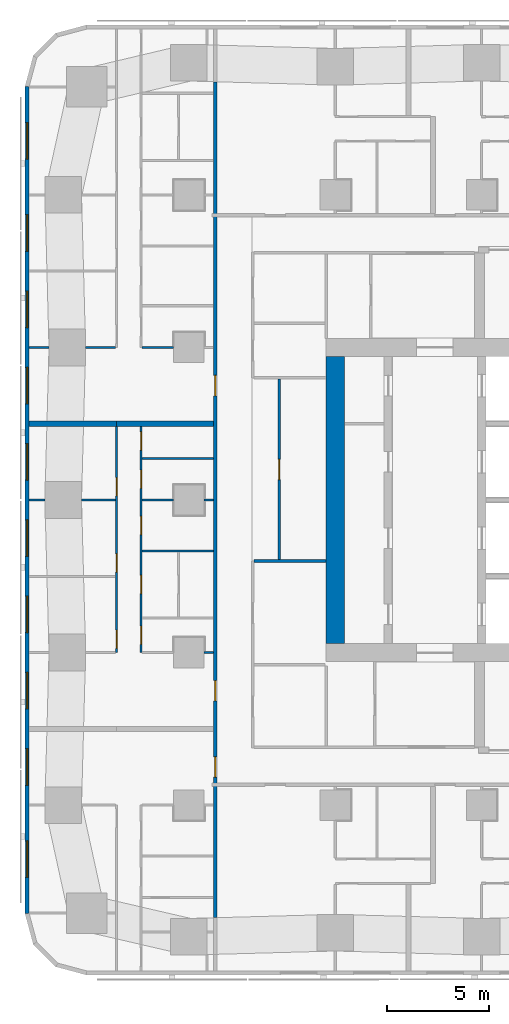
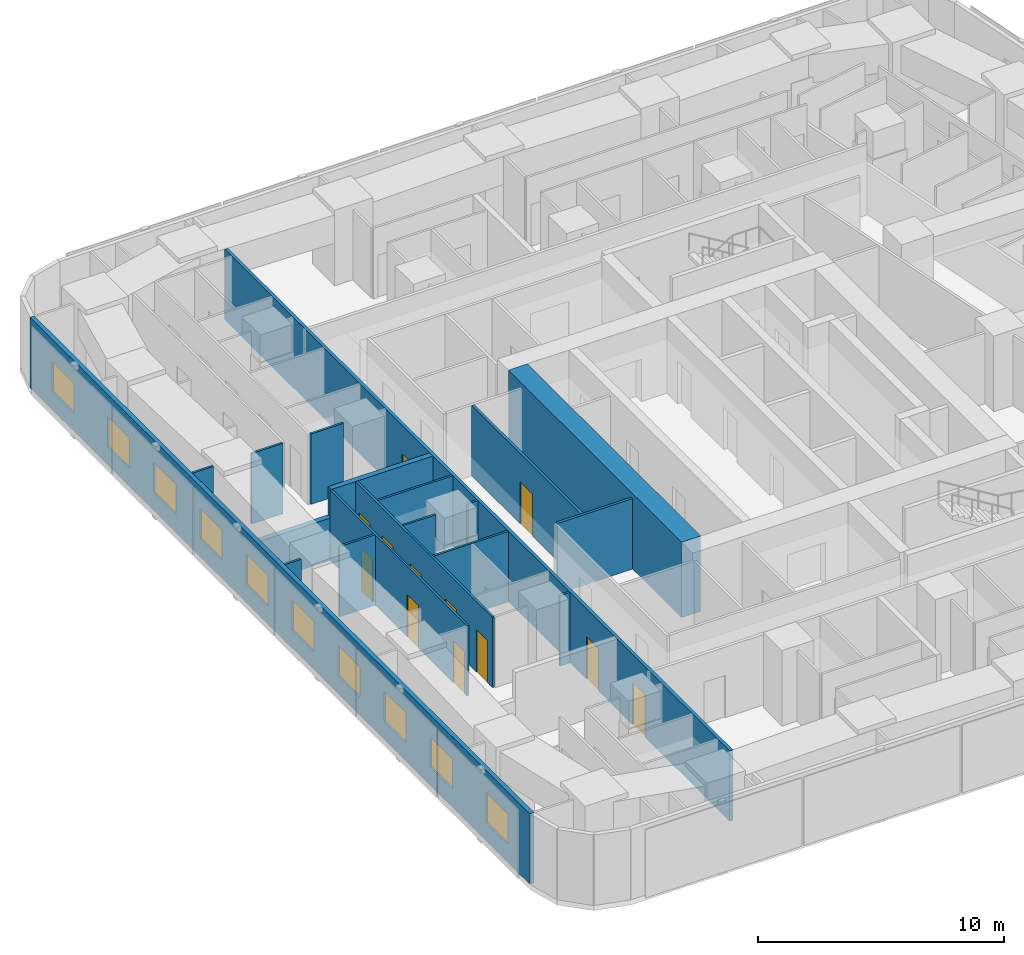
# One storey, part 5 of 15: 19 walls, 12 doors, 10 windows, 22 openings.
"""IFC4 building model written with IfcOpenShell, lengths in metres."""

from ifc_helpers import new_model, si_unit, direction, frame, frame_2d, origin, place, context, subcontext, project, spatial, rectangle, extrude, material, layer, layer_set, type_object, element, fill, save


model = new_model("IFC4")

# Units and contexts
model_context = context("Model", 3, precision=1e-05, world=origin(), true_north=direction((0.0, 1.0)))
body_context = subcontext(model_context, "Body", "Model", "MODEL_VIEW")
ifc_project = project(units=[si_unit("LENGTHUNIT", "METRE"), si_unit("AREAUNIT", "SQUARE_METRE"), si_unit("VOLUMEUNIT", "CUBIC_METRE"), si_unit("PLANEANGLEUNIT", "RADIAN"), si_unit("MASSUNIT", "GRAM", prefix="KILO")], contexts=[model_context])

# Site, building, storey
site_placement = place(None, origin())
site = spatial("IfcSite", under=ifc_project, at=site_placement, CompositionType="ELEMENT")
building_placement = place(site_placement, origin())
building = spatial("IfcBuilding", under=site, at=building_placement, Name="Sheger Commons Tower", CompositionType="ELEMENT")
storey_placement = place(building_placement, frame((0.0, 0.0, 162.050048828125)))
storey = spatial("IfcBuildingStorey", under=building, at=storey_placement, Name="L41", CompositionType="ELEMENT", Elevation=162.050048828125)

# Wall
ifc_material_1 = material(Name="Concrete C50/60", Category="concrete")
ifc_layer_1 = layer(ifc_material_1, 0.89990234375)
ifc_layer_set_1 = layer_set([ifc_layer_1], Name="CORE WALL 900")
wall_type_1 = type_object("IfcWallType", Name="CORE WALL 900", PredefinedType="SHEAR", material=ifc_layer_set_1)
wall_1_placement = place(storey_placement, frame((14.39990234375, 15.449951171875, 0.0), z_axis=(0.0, 0.0, 1.0), x_axis=(0.0, 1.0, 0.0)))
element("IfcWall", 1, at=wall_1_placement, inside=storey, type_object=wall_type_1, Name="Core wall west L41", PredefinedType="SHEAR", context=body_context, shape_type="SweptSolid", body=[
    extrude(rectangle(XDim=14.10009765625, YDim=0.89990234375, at=frame_2d((7.050048828125, 0.0))), origin(), (0.0, 0.0, 1.0), 3.75),
])

# Wall, openings, doors
ifc_material_2 = material(Name="Hollow concrete block masonry, skimmed both sides", Category="masonry")
ifc_layer_2 = layer(ifc_material_2, 0.14990234375)
ifc_layer_set_2 = layer_set([ifc_layer_2], Name="CORRIDOR WALL 150")
wall_type_2 = type_object("IfcWallType", Name="CORRIDOR WALL 150", PredefinedType="SOLIDWALL", material=ifc_layer_set_2)
wall_2_placement = place(storey_placement, frame((8.5, 1.964111328125, 0.0), z_axis=(0.0, 0.0, 1.0), x_axis=(0.0, 1.0, 0.0)))
wall_2 = element("IfcWall", 2, at=wall_2_placement, inside=storey, type_object=wall_type_2, Name="Corridor wall L41", PredefinedType="SOLIDWALL", context=body_context, shape_type="SweptSolid", body=[
    extrude(rectangle(XDim=41.096923828125, YDim=0.14990234375, at=frame_2d((20.54833984375, 0.0))), origin(), (0.0, 0.0, 1.0), 3.5),
])
opening_1_placement = place(wall_2_placement, frame((6.910888671875, 0.0, 0.0)))
opening_1 = element("IfcOpeningElement", 3, at=opening_1_placement, cuts=wall_2, Name="Opening D1", PredefinedType="OPENING", context=body_context, shape_type="SweptSolid", body=[
    extrude(rectangle(XDim=1.0, YDim=2.10009765625, at=frame_2d((0.5, 1.050048828125))), frame((0.0, 0.0849609375, 0.0), z_axis=(0.0, -1.0, 0.0), x_axis=(1.0, 0.0, 0.0)), (0.0, 0.0, 1.0), 0.169921875),
])
opening_2_placement = place(wall_2_placement, frame((10.660888671875, 0.0, 0.0)))
opening_2 = element("IfcOpeningElement", 4, at=opening_2_placement, cuts=wall_2, Name="Opening D1", PredefinedType="OPENING", context=body_context, shape_type="SweptSolid", body=[
    extrude(rectangle(XDim=1.0, YDim=2.10009765625, at=frame_2d((0.5, 1.050048828125))), frame((0.0, 0.0849609375, 0.0), z_axis=(0.0, -1.0, 0.0), x_axis=(1.0, 0.0, 0.0)), (0.0, 0.0, 1.0), 0.169921875),
])
opening_3_placement = place(wall_2_placement, frame((25.660888671875, 0.0, 0.0)))
opening_3 = element("IfcOpeningElement", 5, at=opening_3_placement, cuts=wall_2, Name="Opening D1", PredefinedType="OPENING", context=body_context, shape_type="SweptSolid", body=[
    extrude(rectangle(XDim=1.0, YDim=2.10009765625, at=frame_2d((0.5, 1.050048828125))), frame((0.0, 0.0849609375, 0.0), z_axis=(0.0, -1.0, 0.0), x_axis=(1.0, 0.0, 0.0)), (0.0, 0.0, 1.0), 0.169921875),
])
ifc_material_3 = material(Name="Steel door set, fire rated", Category="steel")
door_type_1 = type_object("IfcDoorType", Name="FLAT ENTRANCE DOOR 1000x2100", OperationType="NOTDEFINED", PredefinedType="DOOR", material=ifc_material_3)
door_1_placement = place(opening_1_placement, origin())
door_1 = element("IfcDoor", 6, at=door_1_placement, inside=storey, type_object=door_type_1, Name="Flat entrance door", OperationType="SINGLE_SWING_LEFT", OverallHeight=2.10009765625, OverallWidth=1.0, PredefinedType="DOOR", context=body_context, shape_type="SweptSolid", body=[
    extrude(rectangle(XDim=1.0, YDim=2.10009765625, at=frame_2d((0.5, 1.050048828125))), frame((0.0, 0.02490234375, 0.0), z_axis=(0.0, -1.0, 0.0), x_axis=(1.0, 0.0, 0.0)), (0.0, 0.0, 1.0), 0.050048828125),
])
fill(opening_1, door_1)
door_2_placement = place(opening_2_placement, origin())
door_2 = element("IfcDoor", 7, at=door_2_placement, inside=storey, type_object=door_type_1, Name="Flat entrance door", OperationType="SINGLE_SWING_RIGHT", OverallHeight=2.10009765625, OverallWidth=1.0, PredefinedType="DOOR", context=body_context, shape_type="SweptSolid", body=[
    extrude(rectangle(XDim=1.0, YDim=2.10009765625, at=frame_2d((0.5, 1.050048828125))), frame((0.0, 0.02490234375, 0.0), z_axis=(0.0, -1.0, 0.0), x_axis=(1.0, 0.0, 0.0)), (0.0, 0.0, 1.0), 0.050048828125),
])
fill(opening_2, door_2)
door_3_placement = place(opening_3_placement, origin())
door_3 = element("IfcDoor", 8, at=door_3_placement, inside=storey, type_object=door_type_1, Name="Flat entrance door", OperationType="SINGLE_SWING_LEFT", OverallHeight=2.10009765625, OverallWidth=1.0, PredefinedType="DOOR", context=body_context, shape_type="SweptSolid", body=[
    extrude(rectangle(XDim=1.0, YDim=2.10009765625, at=frame_2d((0.5, 1.050048828125))), frame((0.0, 0.02490234375, 0.0), z_axis=(0.0, -1.0, 0.0), x_axis=(1.0, 0.0, 0.0)), (0.0, 0.0, 1.0), 0.050048828125),
])
fill(opening_3, door_3)

# Walls
ifc_material_4 = material(Name="Dense concrete block masonry, plastered both sides (separating wall between flats)", Category="masonry")
ifc_layer_3 = layer(ifc_material_4, 0.25)
ifc_layer_set_3 = layer_set([ifc_layer_3], Name="DEMISING WALL 250")
wall_type_3 = type_object("IfcWallType", Name="DEMISING WALL 250", PredefinedType="SOLIDWALL", material=ifc_layer_set_3)
wall_3_placement = place(storey_placement, frame((-0.64990234375, 26.25, 0.0), z_axis=(0.0, 0.0, 1.0), x_axis=(1.0, 0.0, 0.0)))
element("IfcWall", 9, at=wall_3_placement, inside=storey, type_object=wall_type_3, Name="Demising wall L41", PredefinedType="SOLIDWALL", context=body_context, shape_type="SweptSolid", body=[
    extrude(rectangle(XDim=4.2998046875, YDim=0.25, at=frame_2d((2.14990234375, 0.0))), origin(), (0.0, 0.0, 1.0), 2.099853515625),
])
wall_4_placement = place(storey_placement, frame((3.64990234375, 26.25, 0.0), z_axis=(0.0, 0.0, 1.0), x_axis=(1.0, 0.0, 0.0)))
element("IfcWall", 10, at=wall_4_placement, inside=storey, type_object=wall_type_3, Name="Demising wall L41", PredefinedType="SOLIDWALL", context=body_context, shape_type="SweptSolid", body=[
    extrude(rectangle(XDim=4.775146484375, YDim=0.25, at=frame_2d((2.3876953125, 0.0))), origin(), (0.0, 0.0, 1.0), 3.5),
])

# Wall, openings, windows
ifc_material_5 = material(Name="Rendered concrete block masonry, dark grey", Category="masonry")
ifc_layer_4 = layer(ifc_material_5, 0.199951171875)
ifc_layer_set_4 = layer_set([ifc_layer_4], Name="FACADE WALL 200")
wall_type_4 = type_object("IfcWallType", Name="FACADE WALL 200", PredefinedType="SOLIDWALL", material=ifc_layer_set_4)
wall_5_placement = place(storey_placement, frame((-0.75, 42.8369140625, 0.0), z_axis=(0.0, 0.0, 1.0), x_axis=(0.0, -1.0, 0.0)))
wall_5 = element("IfcWall", 11, at=wall_5_placement, inside=storey, type_object=wall_type_4, Name="Facade wall L41", PredefinedType="SOLIDWALL", context=body_context, shape_type="SweptSolid", body=[
    extrude(rectangle(XDim=40.673828125, YDim=0.199951171875, at=frame_2d((20.3369140625, 0.0))), origin(), (0.0, 0.0, 1.0), 3.5),
])
opening_4_placement = place(wall_5_placement, frame((1.780029296875, 0.0, 0.89990234375)))
opening_4 = element("IfcOpeningElement", 12, at=opening_4_placement, cuts=wall_5, Name="Opening W2", PredefinedType="OPENING", context=body_context, shape_type="SweptSolid", body=[
    extrude(rectangle(XDim=1.800048828125, YDim=1.5, at=frame_2d((0.89990234375, 0.75))), frame((0.0, 0.10986328125, 0.0), z_axis=(0.0, -1.0, 0.0), x_axis=(1.0, 0.0, 0.0)), (0.0, 0.0, 1.0), 0.219970703125),
])
opening_5_placement = place(wall_5_placement, frame((6.31201171875, 0.0, 0.89990234375)))
opening_5 = element("IfcOpeningElement", 13, at=opening_5_placement, cuts=wall_5, Name="Opening W2", PredefinedType="OPENING", context=body_context, shape_type="SweptSolid", body=[
    extrude(rectangle(XDim=1.800048828125, YDim=1.5, at=frame_2d((0.89990234375, 0.75))), frame((0.0, 0.10986328125, 0.0), z_axis=(0.0, -1.0, 0.0), x_axis=(1.0, 0.0, 0.0)), (0.0, 0.0, 1.0), 0.219970703125),
])
opening_6_placement = place(wall_5_placement, frame((10.06201171875, 0.0, 0.89990234375)))
opening_6 = element("IfcOpeningElement", 14, at=opening_6_placement, cuts=wall_5, Name="Opening W2", PredefinedType="OPENING", context=body_context, shape_type="SweptSolid", body=[
    extrude(rectangle(XDim=1.800048828125, YDim=1.5, at=frame_2d((0.89990234375, 0.75))), frame((0.0, 0.10986328125, 0.0), z_axis=(0.0, -1.0, 0.0), x_axis=(1.0, 0.0, 0.0)), (0.0, 0.0, 1.0), 0.219970703125),
])
opening_7_placement = place(wall_5_placement, frame((13.81201171875, 0.0, 0.89990234375)))
opening_7 = element("IfcOpeningElement", 15, at=opening_7_placement, cuts=wall_5, Name="Opening W2", PredefinedType="OPENING", context=body_context, shape_type="SweptSolid", body=[
    extrude(rectangle(XDim=1.800048828125, YDim=1.5, at=frame_2d((0.89990234375, 0.75))), frame((0.0, 0.10986328125, 0.0), z_axis=(0.0, -1.0, 0.0), x_axis=(1.0, 0.0, 0.0)), (0.0, 0.0, 1.0), 0.219970703125),
])
opening_8_placement = place(wall_5_placement, frame((17.56201171875, 0.0, 0.89990234375)))
opening_8 = element("IfcOpeningElement", 16, at=opening_8_placement, cuts=wall_5, Name="Opening W2", PredefinedType="OPENING", context=body_context, shape_type="SweptSolid", body=[
    extrude(rectangle(XDim=1.800048828125, YDim=1.5, at=frame_2d((0.89990234375, 0.75))), frame((0.0, 0.10986328125, 0.0), z_axis=(0.0, -1.0, 0.0), x_axis=(1.0, 0.0, 0.0)), (0.0, 0.0, 1.0), 0.219970703125),
])
opening_9_placement = place(wall_5_placement, frame((21.31201171875, 0.0, 0.89990234375)))
opening_9 = element("IfcOpeningElement", 17, at=opening_9_placement, cuts=wall_5, Name="Opening W2", PredefinedType="OPENING", context=body_context, shape_type="SweptSolid", body=[
    extrude(rectangle(XDim=1.800048828125, YDim=1.5, at=frame_2d((0.89990234375, 0.75))), frame((0.0, 0.10986328125, 0.0), z_axis=(0.0, -1.0, 0.0), x_axis=(1.0, 0.0, 0.0)), (0.0, 0.0, 1.0), 0.219970703125),
])
opening_10_placement = place(wall_5_placement, frame((25.06201171875, 0.0, 0.89990234375)))
opening_10 = element("IfcOpeningElement", 18, at=opening_10_placement, cuts=wall_5, Name="Opening W2", PredefinedType="OPENING", context=body_context, shape_type="SweptSolid", body=[
    extrude(rectangle(XDim=1.800048828125, YDim=1.5, at=frame_2d((0.89990234375, 0.75))), frame((0.0, 0.10986328125, 0.0), z_axis=(0.0, -1.0, 0.0), x_axis=(1.0, 0.0, 0.0)), (0.0, 0.0, 1.0), 0.219970703125),
])
opening_11_placement = place(wall_5_placement, frame((28.81201171875, 0.0, 0.89990234375)))
opening_11 = element("IfcOpeningElement", 19, at=opening_11_placement, cuts=wall_5, Name="Opening W2", PredefinedType="OPENING", context=body_context, shape_type="SweptSolid", body=[
    extrude(rectangle(XDim=1.800048828125, YDim=1.5, at=frame_2d((0.89990234375, 0.75))), frame((0.0, 0.10986328125, 0.0), z_axis=(0.0, -1.0, 0.0), x_axis=(1.0, 0.0, 0.0)), (0.0, 0.0, 1.0), 0.219970703125),
])
opening_12_placement = place(wall_5_placement, frame((32.56201171875, 0.0, 0.89990234375)))
opening_12 = element("IfcOpeningElement", 20, at=opening_12_placement, cuts=wall_5, Name="Opening W2", PredefinedType="OPENING", context=body_context, shape_type="SweptSolid", body=[
    extrude(rectangle(XDim=1.800048828125, YDim=1.5, at=frame_2d((0.89990234375, 0.75))), frame((0.0, 0.10986328125, 0.0), z_axis=(0.0, -1.0, 0.0), x_axis=(1.0, 0.0, 0.0)), (0.0, 0.0, 1.0), 0.219970703125),
])
opening_13_placement = place(wall_5_placement, frame((37.093994140625, 0.0, 0.89990234375)))
opening_13 = element("IfcOpeningElement", 21, at=opening_13_placement, cuts=wall_5, Name="Opening W2", PredefinedType="OPENING", context=body_context, shape_type="SweptSolid", body=[
    extrude(rectangle(XDim=1.800048828125, YDim=1.5, at=frame_2d((0.89990234375, 0.75))), frame((0.0, 0.10986328125, 0.0), z_axis=(0.0, -1.0, 0.0), x_axis=(1.0, 0.0, 0.0)), (0.0, 0.0, 1.0), 0.219970703125),
])
ifc_material_6 = material(Name="Black aluminium frame, dark tinted double glazing", Category="aluminium")
window_type = type_object("IfcWindowType", Name="WINDOW W2 1800x1500", PartitioningType="SINGLE_PANEL", PredefinedType="WINDOW", material=ifc_material_6)
window_1_placement = place(opening_4_placement, origin())
window_1 = element("IfcWindow", 22, at=window_1_placement, inside=storey, type_object=window_type, Name="Window W2 1800X1500", OverallHeight=1.5, OverallWidth=1.800048828125, PartitioningType="SINGLE_PANEL", PredefinedType="WINDOW", context=body_context, shape_type="SweptSolid", body=[
    extrude(rectangle(XDim=1.800048828125, YDim=1.5, at=frame_2d((0.89990234375, 0.75))), frame((0.0, 0.030029296875, 0.0), z_axis=(0.0, -1.0, 0.0), x_axis=(1.0, 0.0, 0.0)), (0.0, 0.0, 1.0), 0.06005859375),
])
fill(opening_4, window_1)
window_2_placement = place(opening_5_placement, origin())
window_2 = element("IfcWindow", 23, at=window_2_placement, inside=storey, type_object=window_type, Name="Window W2 1800X1500", OverallHeight=1.5, OverallWidth=1.800048828125, PartitioningType="SINGLE_PANEL", PredefinedType="WINDOW", context=body_context, shape_type="SweptSolid", body=[
    extrude(rectangle(XDim=1.800048828125, YDim=1.5, at=frame_2d((0.89990234375, 0.75))), frame((0.0, 0.030029296875, 0.0), z_axis=(0.0, -1.0, 0.0), x_axis=(1.0, 0.0, 0.0)), (0.0, 0.0, 1.0), 0.06005859375),
])
fill(opening_5, window_2)
window_3_placement = place(opening_6_placement, origin())
window_3 = element("IfcWindow", 24, at=window_3_placement, inside=storey, type_object=window_type, Name="Window W2 1800X1500", OverallHeight=1.5, OverallWidth=1.800048828125, PartitioningType="SINGLE_PANEL", PredefinedType="WINDOW", context=body_context, shape_type="SweptSolid", body=[
    extrude(rectangle(XDim=1.800048828125, YDim=1.5, at=frame_2d((0.89990234375, 0.75))), frame((0.0, 0.030029296875, 0.0), z_axis=(0.0, -1.0, 0.0), x_axis=(1.0, 0.0, 0.0)), (0.0, 0.0, 1.0), 0.06005859375),
])
fill(opening_6, window_3)
window_4_placement = place(opening_7_placement, origin())
window_4 = element("IfcWindow", 25, at=window_4_placement, inside=storey, type_object=window_type, Name="Window W2 1800X1500", OverallHeight=1.5, OverallWidth=1.800048828125, PartitioningType="SINGLE_PANEL", PredefinedType="WINDOW", context=body_context, shape_type="SweptSolid", body=[
    extrude(rectangle(XDim=1.800048828125, YDim=1.5, at=frame_2d((0.89990234375, 0.75))), frame((0.0, 0.030029296875, 0.0), z_axis=(0.0, -1.0, 0.0), x_axis=(1.0, 0.0, 0.0)), (0.0, 0.0, 1.0), 0.06005859375),
])
fill(opening_7, window_4)
window_5_placement = place(opening_8_placement, origin())
window_5 = element("IfcWindow", 26, at=window_5_placement, inside=storey, type_object=window_type, Name="Window W2 1800X1500", OverallHeight=1.5, OverallWidth=1.800048828125, PartitioningType="SINGLE_PANEL", PredefinedType="WINDOW", context=body_context, shape_type="SweptSolid", body=[
    extrude(rectangle(XDim=1.800048828125, YDim=1.5, at=frame_2d((0.89990234375, 0.75))), frame((0.0, 0.030029296875, 0.0), z_axis=(0.0, -1.0, 0.0), x_axis=(1.0, 0.0, 0.0)), (0.0, 0.0, 1.0), 0.06005859375),
])
fill(opening_8, window_5)
window_6_placement = place(opening_9_placement, origin())
window_6 = element("IfcWindow", 27, at=window_6_placement, inside=storey, type_object=window_type, Name="Window W2 1800X1500", OverallHeight=1.5, OverallWidth=1.800048828125, PartitioningType="SINGLE_PANEL", PredefinedType="WINDOW", context=body_context, shape_type="SweptSolid", body=[
    extrude(rectangle(XDim=1.800048828125, YDim=1.5, at=frame_2d((0.89990234375, 0.75))), frame((0.0, 0.030029296875, 0.0), z_axis=(0.0, -1.0, 0.0), x_axis=(1.0, 0.0, 0.0)), (0.0, 0.0, 1.0), 0.06005859375),
])
fill(opening_9, window_6)
window_7_placement = place(opening_10_placement, origin())
window_7 = element("IfcWindow", 28, at=window_7_placement, inside=storey, type_object=window_type, Name="Window W2 1800X1500", OverallHeight=1.5, OverallWidth=1.800048828125, PartitioningType="SINGLE_PANEL", PredefinedType="WINDOW", context=body_context, shape_type="SweptSolid", body=[
    extrude(rectangle(XDim=1.800048828125, YDim=1.5, at=frame_2d((0.89990234375, 0.75))), frame((0.0, 0.030029296875, 0.0), z_axis=(0.0, -1.0, 0.0), x_axis=(1.0, 0.0, 0.0)), (0.0, 0.0, 1.0), 0.06005859375),
])
fill(opening_10, window_7)
window_8_placement = place(opening_11_placement, origin())
window_8 = element("IfcWindow", 29, at=window_8_placement, inside=storey, type_object=window_type, Name="Window W2 1800X1500", OverallHeight=1.5, OverallWidth=1.800048828125, PartitioningType="SINGLE_PANEL", PredefinedType="WINDOW", context=body_context, shape_type="SweptSolid", body=[
    extrude(rectangle(XDim=1.800048828125, YDim=1.5, at=frame_2d((0.89990234375, 0.75))), frame((0.0, 0.030029296875, 0.0), z_axis=(0.0, -1.0, 0.0), x_axis=(1.0, 0.0, 0.0)), (0.0, 0.0, 1.0), 0.06005859375),
])
fill(opening_11, window_8)
window_9_placement = place(opening_12_placement, origin())
window_9 = element("IfcWindow", 30, at=window_9_placement, inside=storey, type_object=window_type, Name="Window W2 1800X1500", OverallHeight=1.5, OverallWidth=1.800048828125, PartitioningType="SINGLE_PANEL", PredefinedType="WINDOW", context=body_context, shape_type="SweptSolid", body=[
    extrude(rectangle(XDim=1.800048828125, YDim=1.5, at=frame_2d((0.89990234375, 0.75))), frame((0.0, 0.030029296875, 0.0), z_axis=(0.0, -1.0, 0.0), x_axis=(1.0, 0.0, 0.0)), (0.0, 0.0, 1.0), 0.06005859375),
])
fill(opening_12, window_9)
window_10_placement = place(opening_13_placement, origin())
window_10 = element("IfcWindow", 31, at=window_10_placement, inside=storey, type_object=window_type, Name="Window W2 1800X1500", OverallHeight=1.5, OverallWidth=1.800048828125, PartitioningType="SINGLE_PANEL", PredefinedType="WINDOW", context=body_context, shape_type="SweptSolid", body=[
    extrude(rectangle(XDim=1.800048828125, YDim=1.5, at=frame_2d((0.89990234375, 0.75))), frame((0.0, 0.030029296875, 0.0), z_axis=(0.0, -1.0, 0.0), x_axis=(1.0, 0.0, 0.0)), (0.0, 0.0, 1.0), 0.06005859375),
])
fill(opening_13, window_10)

# Wall, openings, doors
ifc_material_7 = material(Name="Gypsum board on steel studs", Category="steel")
ifc_layer_5 = layer(ifc_material_7, 0.10009765625)
ifc_layer_set_5 = layer_set([ifc_layer_5], Name="PARTITION 100")
wall_type_5 = type_object("IfcWallType", Name="PARTITION 100", PredefinedType="PARTITIONING", material=ifc_layer_set_5)
wall_6_placement = place(storey_placement, frame((3.64990234375, 15.0, 0.0), z_axis=(0.0, 0.0, 1.0), x_axis=(0.0, 1.0, 0.0)))
wall_6 = element("IfcWall", 32, at=wall_6_placement, inside=storey, type_object=wall_type_5, Name="Partition L41", PredefinedType="PARTITIONING", context=body_context, shape_type="SweptSolid", body=[
    extrude(rectangle(XDim=11.125, YDim=0.10009765625, at=frame_2d((5.5625, 0.0))), origin(), (0.0, 0.0, 1.0), 3.5),
])
opening_14_placement = place(wall_6_placement, frame((0.199951171875, 0.0, 0.0)))
opening_14 = element("IfcOpeningElement", 33, at=opening_14_placement, cuts=wall_6, Name="Opening D2", PredefinedType="OPENING", context=body_context, shape_type="SweptSolid", body=[
    extrude(rectangle(XDim=0.89990234375, YDim=2.10009765625, at=frame_2d((0.449951171875, 1.050048828125))), frame((0.0, 0.06005859375, 0.0), z_axis=(0.0, -1.0, 0.0), x_axis=(1.0, 0.0, 0.0)), (0.0, 0.0, 1.0), 0.1201171875),
])
opening_15_placement = place(wall_6_placement, frame((3.949951171875, 0.0, 0.0)))
opening_15 = element("IfcOpeningElement", 34, at=opening_15_placement, cuts=wall_6, Name="Opening D2", PredefinedType="OPENING", context=body_context, shape_type="SweptSolid", body=[
    extrude(rectangle(XDim=0.89990234375, YDim=2.10009765625, at=frame_2d((0.449951171875, 1.050048828125))), frame((0.0, 0.06005859375, 0.0), z_axis=(0.0, -1.0, 0.0), x_axis=(1.0, 0.0, 0.0)), (0.0, 0.0, 1.0), 0.1201171875),
])
opening_16_placement = place(wall_6_placement, frame((7.699951171875, 0.0, 0.0)))
opening_16 = element("IfcOpeningElement", 35, at=opening_16_placement, cuts=wall_6, Name="Opening D2", PredefinedType="OPENING", context=body_context, shape_type="SweptSolid", body=[
    extrude(rectangle(XDim=0.89990234375, YDim=2.10009765625, at=frame_2d((0.449951171875, 1.050048828125))), frame((0.0, 0.06005859375, 0.0), z_axis=(0.0, -1.0, 0.0), x_axis=(1.0, 0.0, 0.0)), (0.0, 0.0, 1.0), 0.1201171875),
])
ifc_material_8 = material(Name="Timber door set", Category="wood")
door_type_2 = type_object("IfcDoorType", Name="INTERNAL DOOR 900x2100", OperationType="NOTDEFINED", PredefinedType="DOOR", material=ifc_material_8)
door_4_placement = place(opening_14_placement, origin())
door_4 = element("IfcDoor", 36, at=door_4_placement, inside=storey, type_object=door_type_2, Name="Main bedroom door", OperationType="SINGLE_SWING_LEFT", OverallHeight=2.10009765625, OverallWidth=0.89990234375, PredefinedType="DOOR", context=body_context, shape_type="SweptSolid", body=[
    extrude(rectangle(XDim=0.89990234375, YDim=2.10009765625, at=frame_2d((0.449951171875, 1.050048828125))), frame((0.0, 0.02490234375, 0.0), z_axis=(0.0, -1.0, 0.0), x_axis=(1.0, 0.0, 0.0)), (0.0, 0.0, 1.0), 0.050048828125),
])
fill(opening_14, door_4)
door_5_placement = place(opening_15_placement, origin())
door_5 = element("IfcDoor", 37, at=door_5_placement, inside=storey, type_object=door_type_2, Name="Bedroom 2 door", OperationType="SINGLE_SWING_LEFT", OverallHeight=2.10009765625, OverallWidth=0.89990234375, PredefinedType="DOOR", context=body_context, shape_type="SweptSolid", body=[
    extrude(rectangle(XDim=0.89990234375, YDim=2.10009765625, at=frame_2d((0.449951171875, 1.050048828125))), frame((0.0, 0.02490234375, 0.0), z_axis=(0.0, -1.0, 0.0), x_axis=(1.0, 0.0, 0.0)), (0.0, 0.0, 1.0), 0.050048828125),
])
fill(opening_15, door_5)
door_6_placement = place(opening_16_placement, origin())
door_6 = element("IfcDoor", 38, at=door_6_placement, inside=storey, type_object=door_type_2, Name="Bedroom 3 door", OperationType="SINGLE_SWING_LEFT", OverallHeight=2.10009765625, OverallWidth=0.89990234375, PredefinedType="DOOR", context=body_context, shape_type="SweptSolid", body=[
    extrude(rectangle(XDim=0.89990234375, YDim=2.10009765625, at=frame_2d((0.449951171875, 1.050048828125))), frame((0.0, 0.02490234375, 0.0), z_axis=(0.0, -1.0, 0.0), x_axis=(1.0, 0.0, 0.0)), (0.0, 0.0, 1.0), 0.050048828125),
])
fill(opening_16, door_6)

wall_7_placement = place(storey_placement, frame((4.85009765625, 15.0, 0.0), z_axis=(0.0, 0.0, 1.0), x_axis=(0.0, 1.0, 0.0)))
wall_7 = element("IfcWall", 39, at=wall_7_placement, inside=storey, type_object=wall_type_5, Name="Partition L41", PredefinedType="PARTITIONING", context=body_context, shape_type="SweptSolid", body=[
    extrude(rectangle(XDim=11.125, YDim=0.10009765625, at=frame_2d((5.5625, 0.0))), origin(), (0.0, 0.0, 1.0), 3.5),
])
opening_17_placement = place(wall_7_placement, frame((0.39990234375, 0.0, 0.0)))
opening_17 = element("IfcOpeningElement", 40, at=opening_17_placement, cuts=wall_7, Name="Opening D2", PredefinedType="OPENING", context=body_context, shape_type="SweptSolid", body=[
    extrude(rectangle(XDim=0.89990234375, YDim=2.10009765625, at=frame_2d((0.449951171875, 1.050048828125))), frame((0.0, 0.06005859375, 0.0), z_axis=(0.0, -1.0, 0.0), x_axis=(1.0, 0.0, 0.0)), (0.0, 0.0, 1.0), 0.1201171875),
])
opening_18_placement = place(wall_7_placement, frame((5.799072265625, 0.0, 0.0)))
opening_18 = element("IfcOpeningElement", 41, at=opening_18_placement, cuts=wall_7, Name="Opening D2", PredefinedType="OPENING", context=body_context, shape_type="SweptSolid", body=[
    extrude(rectangle(XDim=0.89990234375, YDim=2.10009765625, at=frame_2d((0.449951171875, 1.050048828125))), frame((0.0, 0.06005859375, 0.0), z_axis=(0.0, -1.0, 0.0), x_axis=(1.0, 0.0, 0.0)), (0.0, 0.0, 1.0), 0.1201171875),
])
opening_19_placement = place(wall_7_placement, frame((8.074951171875, 0.0, 0.0)))
opening_19 = element("IfcOpeningElement", 42, at=opening_19_placement, cuts=wall_7, Name="Opening D2", PredefinedType="OPENING", context=body_context, shape_type="SweptSolid", body=[
    extrude(rectangle(XDim=0.89990234375, YDim=2.10009765625, at=frame_2d((0.449951171875, 1.050048828125))), frame((0.0, 0.06005859375, 0.0), z_axis=(0.0, -1.0, 0.0), x_axis=(1.0, 0.0, 0.0)), (0.0, 0.0, 1.0), 0.1201171875),
])
opening_20_placement = place(wall_7_placement, frame((2.89892578125, 0.0, 0.0)))
opening_20 = element("IfcOpeningElement", 43, at=opening_20_placement, cuts=wall_7, Name="Opening D2", PredefinedType="OPENING", context=body_context, shape_type="SweptSolid", body=[
    extrude(rectangle(XDim=0.89990234375, YDim=2.10009765625, at=frame_2d((0.449951171875, 1.050048828125))), frame((0.0, 0.06005859375, 0.0), z_axis=(0.0, -1.0, 0.0), x_axis=(1.0, 0.0, 0.0)), (0.0, 0.0, 1.0), 0.1201171875),
])
opening_21_placement = place(wall_7_placement, frame((9.949951171875, 0.0, 0.0)))
opening_21 = element("IfcOpeningElement", 44, at=opening_21_placement, cuts=wall_7, Name="Opening D2", PredefinedType="OPENING", context=body_context, shape_type="SweptSolid", body=[
    extrude(rectangle(XDim=0.89990234375, YDim=2.10009765625, at=frame_2d((0.449951171875, 1.050048828125))), frame((0.0, 0.06005859375, 0.0), z_axis=(0.0, -1.0, 0.0), x_axis=(1.0, 0.0, 0.0)), (0.0, 0.0, 1.0), 0.1201171875),
])
door_7_placement = place(opening_17_placement, origin())
door_7 = element("IfcDoor", 45, at=door_7_placement, inside=storey, type_object=door_type_2, Name="Laundry room door", OperationType="SINGLE_SWING_RIGHT", OverallHeight=2.10009765625, OverallWidth=0.89990234375, PredefinedType="DOOR", context=body_context, shape_type="SweptSolid", body=[
    extrude(rectangle(XDim=0.89990234375, YDim=2.10009765625, at=frame_2d((0.449951171875, 1.050048828125))), frame((0.0, 0.02490234375, 0.0), z_axis=(0.0, -1.0, 0.0), x_axis=(1.0, 0.0, 0.0)), (0.0, 0.0, 1.0), 0.050048828125),
])
fill(opening_17, door_7)
door_8_placement = place(opening_18_placement, origin())
door_8 = element("IfcDoor", 46, at=door_8_placement, inside=storey, type_object=door_type_2, Name="Store and laundry door", OperationType="SINGLE_SWING_LEFT", OverallHeight=2.10009765625, OverallWidth=0.89990234375, PredefinedType="DOOR", context=body_context, shape_type="SweptSolid", body=[
    extrude(rectangle(XDim=0.89990234375, YDim=2.10009765625, at=frame_2d((0.449951171875, 1.050048828125))), frame((0.0, 0.02490234375, 0.0), z_axis=(0.0, -1.0, 0.0), x_axis=(1.0, 0.0, 0.0)), (0.0, 0.0, 1.0), 0.050048828125),
])
fill(opening_18, door_8)
door_9_placement = place(opening_19_placement, origin())
door_9 = element("IfcDoor", 47, at=door_9_placement, inside=storey, type_object=door_type_2, Name="Bathroom door", OperationType="SINGLE_SWING_LEFT", OverallHeight=2.10009765625, OverallWidth=0.89990234375, PredefinedType="DOOR", context=body_context, shape_type="SweptSolid", body=[
    extrude(rectangle(XDim=0.89990234375, YDim=2.10009765625, at=frame_2d((0.449951171875, 1.050048828125))), frame((0.0, 0.02490234375, 0.0), z_axis=(0.0, -1.0, 0.0), x_axis=(1.0, 0.0, 0.0)), (0.0, 0.0, 1.0), 0.050048828125),
])
fill(opening_19, door_9)
door_10_placement = place(opening_20_placement, origin())
door_10 = element("IfcDoor", 48, at=door_10_placement, inside=storey, type_object=door_type_2, Name="Store door", OperationType="SINGLE_SWING_RIGHT", OverallHeight=2.10009765625, OverallWidth=0.89990234375, PredefinedType="DOOR", context=body_context, shape_type="SweptSolid", body=[
    extrude(rectangle(XDim=0.89990234375, YDim=2.10009765625, at=frame_2d((0.449951171875, 1.050048828125))), frame((0.0, 0.02490234375, 0.0), z_axis=(0.0, -1.0, 0.0), x_axis=(1.0, 0.0, 0.0)), (0.0, 0.0, 1.0), 0.050048828125),
])
fill(opening_20, door_10)
door_11_placement = place(opening_21_placement, origin())
door_11 = element("IfcDoor", 49, at=door_11_placement, inside=storey, type_object=door_type_2, Name="Store door", OperationType="SINGLE_SWING_LEFT", OverallHeight=2.10009765625, OverallWidth=0.89990234375, PredefinedType="DOOR", context=body_context, shape_type="SweptSolid", body=[
    extrude(rectangle(XDim=0.89990234375, YDim=2.10009765625, at=frame_2d((0.449951171875, 1.050048828125))), frame((0.0, 0.02490234375, 0.0), z_axis=(0.0, -1.0, 0.0), x_axis=(1.0, 0.0, 0.0)), (0.0, 0.0, 1.0), 0.050048828125),
])
fill(opening_21, door_11)

# Walls
wall_8_placement = place(storey_placement, frame((-0.64990234375, 22.5, 0.0), z_axis=(0.0, 0.0, 1.0), x_axis=(1.0, 0.0, 0.0)))
element("IfcWall", 50, at=wall_8_placement, inside=storey, type_object=wall_type_5, Name="Partition L41", PredefinedType="PARTITIONING", context=body_context, shape_type="SweptSolid", body=[
    extrude(rectangle(XDim=0.77392578125, YDim=0.10009765625, at=frame_2d((0.386962890625, 0.0))), origin(), (0.0, 0.0, 1.0), 3.5),
])
wall_9_placement = place(storey_placement, frame((1.926025390625, 22.5, 0.0), z_axis=(0.0, 0.0, 1.0), x_axis=(1.0, 0.0, 0.0)))
element("IfcWall", 51, at=wall_9_placement, inside=storey, type_object=wall_type_5, Name="Partition L41", PredefinedType="PARTITIONING", context=body_context, shape_type="SweptSolid", body=[
    extrude(rectangle(XDim=1.674072265625, YDim=0.10009765625, at=frame_2d((0.8369140625, 0.0))), origin(), (0.0, 0.0, 1.0), 3.5),
])
wall_10_placement = place(storey_placement, frame((7.950927734375, 15.0, 0.0), z_axis=(0.0, 0.0, 1.0), x_axis=(1.0, 0.0, 0.0)))
element("IfcWall", 52, at=wall_10_placement, inside=storey, type_object=wall_type_5, Name="Partition L41", PredefinedType="PARTITIONING", context=body_context, shape_type="SweptSolid", body=[
    extrude(rectangle(XDim=0.47412109375, YDim=0.10009765625, at=frame_2d((0.237060546875, 0.0))), origin(), (0.0, 0.0, 1.0), 3.5),
])
wall_11_placement = place(storey_placement, frame((4.89990234375, 19.9990234375, 0.0), z_axis=(0.0, 0.0, 1.0), x_axis=(1.0, 0.0, 0.0)))
element("IfcWall", 53, at=wall_11_placement, inside=storey, type_object=wall_type_5, Name="Partition L41", PredefinedType="PARTITIONING", context=body_context, shape_type="SweptSolid", body=[
    extrude(rectangle(XDim=3.525146484375, YDim=0.10009765625, at=frame_2d((1.7626953125, 0.0))), origin(), (0.0, 0.0, 1.0), 3.5),
])
wall_12_placement = place(storey_placement, frame((4.89990234375, 22.5, 0.0), z_axis=(0.0, 0.0, 1.0), x_axis=(1.0, 0.0, 0.0)))
element("IfcWall", 54, at=wall_12_placement, inside=storey, type_object=wall_type_5, Name="Partition L41", PredefinedType="PARTITIONING", context=body_context, shape_type="SweptSolid", body=[
    extrude(rectangle(XDim=1.549072265625, YDim=0.10009765625, at=frame_2d((0.7744140625, 0.0))), origin(), (0.0, 0.0, 1.0), 3.5),
])
wall_13_placement = place(storey_placement, frame((7.950927734375, 22.5, 0.0), z_axis=(0.0, 0.0, 1.0), x_axis=(1.0, 0.0, 0.0)))
element("IfcWall", 55, at=wall_13_placement, inside=storey, type_object=wall_type_5, Name="Partition L41", PredefinedType="PARTITIONING", context=body_context, shape_type="SweptSolid", body=[
    extrude(rectangle(XDim=0.47412109375, YDim=0.10009765625, at=frame_2d((0.237060546875, 0.0))), origin(), (0.0, 0.0, 1.0), 3.5),
])
wall_14_placement = place(storey_placement, frame((4.89990234375, 24.550048828125, 0.0), z_axis=(0.0, 0.0, 1.0), x_axis=(1.0, 0.0, 0.0)))
element("IfcWall", 56, at=wall_14_placement, inside=storey, type_object=wall_type_5, Name="Partition L41", PredefinedType="PARTITIONING", context=body_context, shape_type="SweptSolid", body=[
    extrude(rectangle(XDim=3.525146484375, YDim=0.10009765625, at=frame_2d((1.7626953125, 0.0))), origin(), (0.0, 0.0, 1.0), 3.5),
])
wall_15_placement = place(storey_placement, frame((-0.64990234375, 30.0, 0.0), z_axis=(0.0, 0.0, 1.0), x_axis=(1.0, 0.0, 0.0)))
element("IfcWall", 57, at=wall_15_placement, inside=storey, type_object=wall_type_5, Name="Partition L41", PredefinedType="PARTITIONING", context=body_context, shape_type="SweptSolid", body=[
    extrude(rectangle(XDim=0.973876953125, YDim=0.10009765625, at=frame_2d((0.48681640625, 0.0))), origin(), (0.0, 0.0, 1.0), 3.5),
])
wall_16_placement = place(storey_placement, frame((2.1259765625, 30.0, 0.0), z_axis=(0.0, 0.0, 1.0), x_axis=(1.0, 0.0, 0.0)))
element("IfcWall", 58, at=wall_16_placement, inside=storey, type_object=wall_type_5, Name="Partition L41", PredefinedType="PARTITIONING", context=body_context, shape_type="SweptSolid", body=[
    extrude(rectangle(XDim=1.47412109375, YDim=0.10009765625, at=frame_2d((0.737060546875, 0.0))), origin(), (0.0, 0.0, 1.0), 3.5),
])
wall_17_placement = place(storey_placement, frame((4.89990234375, 30.0, 0.0), z_axis=(0.0, 0.0, 1.0), x_axis=(1.0, 0.0, 0.0)))
element("IfcWall", 59, at=wall_17_placement, inside=storey, type_object=wall_type_5, Name="Partition L41", PredefinedType="PARTITIONING", context=body_context, shape_type="SweptSolid", body=[
    extrude(rectangle(XDim=1.549072265625, YDim=0.10009765625, at=frame_2d((0.7744140625, 0.0))), origin(), (0.0, 0.0, 1.0), 3.5),
])

# Wall, opening, door
ifc_material_9 = material(Name="Gypsum board on steel studs, two layers each side, fire rated", Category="steel")
ifc_layer_6 = layer(ifc_material_9, 0.125)
ifc_layer_set_6 = layer_set([ifc_layer_6], Name="SERVICE WALL 125")
wall_type_6 = type_object("IfcWallType", Name="SERVICE WALL 125", PredefinedType="PARTITIONING", material=ifc_layer_set_6)
wall_18_placement = place(storey_placement, frame((11.64990234375, 19.56201171875, 0.0), z_axis=(0.0, 0.0, 1.0), x_axis=(0.0, 1.0, 0.0)))
wall_18 = element("IfcWall", 60, at=wall_18_placement, inside=storey, type_object=wall_type_6, Name="Service room wall L41", PredefinedType="PARTITIONING", context=body_context, shape_type="SweptSolid", body=[
    extrude(rectangle(XDim=8.8759765625, YDim=0.125, at=frame_2d((4.43798828125, 0.0))), origin(), (0.0, 0.0, 1.0), 3.5),
])
opening_22_placement = place(wall_18_placement, frame((3.93798828125, 0.0, 0.0)))
opening_22 = element("IfcOpeningElement", 61, at=opening_22_placement, cuts=wall_18, Name="Opening D4", PredefinedType="OPENING", context=body_context, shape_type="SweptSolid", body=[
    extrude(rectangle(XDim=1.0, YDim=2.10009765625, at=frame_2d((0.5, 1.050048828125))), frame((0.0, 0.072509765625, 0.0), z_axis=(0.0, -1.0, 0.0), x_axis=(1.0, 0.0, 0.0)), (0.0, 0.0, 1.0), 0.14501953125),
])
ifc_material_10 = material(Name="Steel door set, fire rated", Category="steel")
door_type_3 = type_object("IfcDoorType", Name="SERVICE DOOR 1000x2100", OperationType="NOTDEFINED", PredefinedType="DOOR", material=ifc_material_10)
door_12_placement = place(opening_22_placement, origin())
door_12 = element("IfcDoor", 62, at=door_12_placement, inside=storey, type_object=door_type_3, Name="Residents' hobby room door", OperationType="SINGLE_SWING_LEFT", OverallHeight=2.10009765625, OverallWidth=1.0, PredefinedType="DOOR", context=body_context, shape_type="SweptSolid", body=[
    extrude(rectangle(XDim=1.0, YDim=2.10009765625, at=frame_2d((0.5, 1.050048828125))), frame((0.0, 0.02490234375, 0.0), z_axis=(0.0, -1.0, 0.0), x_axis=(1.0, 0.0, 0.0)), (0.0, 0.0, 1.0), 0.050048828125),
])
fill(opening_22, door_12)

# Wall
wall_19_placement = place(storey_placement, frame((10.4130859375, 19.5, 0.0), z_axis=(0.0, 0.0, 1.0), x_axis=(1.0, 0.0, 0.0)))
element("IfcWall", 63, at=wall_19_placement, inside=storey, type_object=wall_type_6, Name="Service room wall L41", PredefinedType="PARTITIONING", context=body_context, shape_type="SweptSolid", body=[
    extrude(rectangle(XDim=3.536865234375, YDim=0.125, at=frame_2d((1.7685546875, 0.0))), origin(), (0.0, 0.0, 1.0), 3.5),
])

save(model, "model.ifc")
